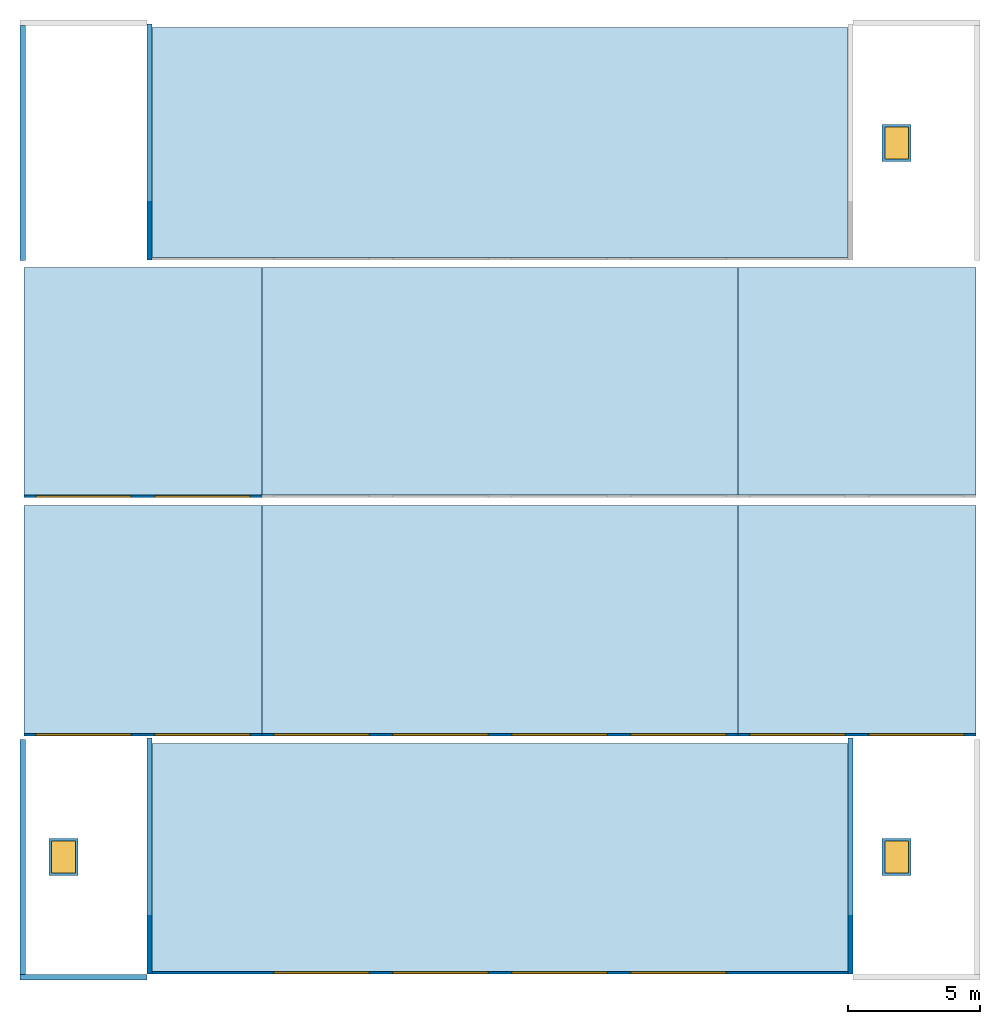
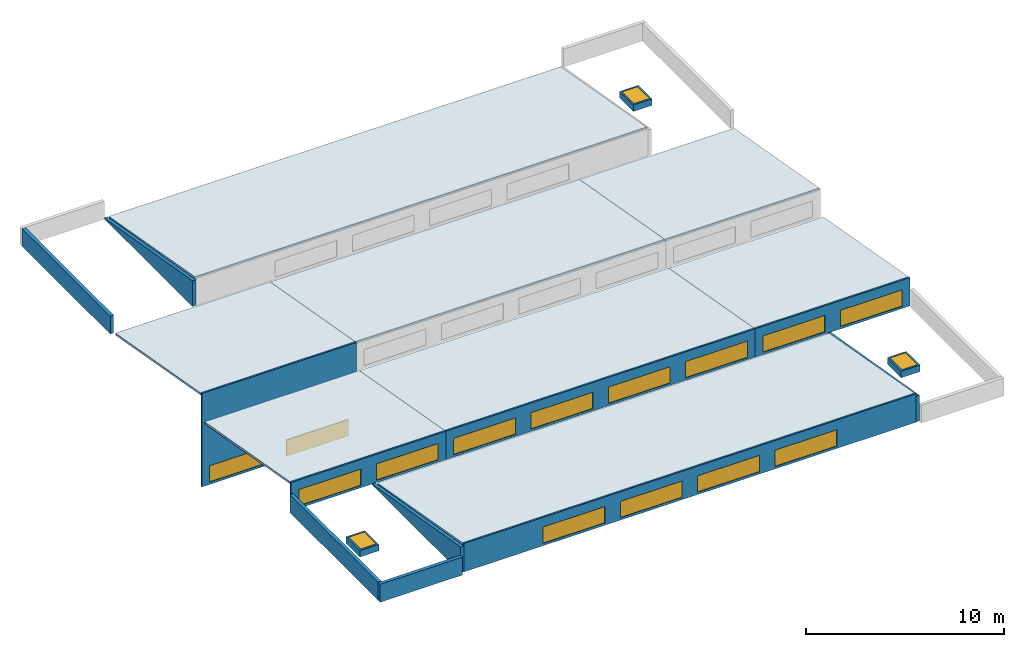
"""IFC4 building model written with IfcOpenShell, lengths in metres."""

import ifcopenshell
import ifcopenshell.guid

model = None  # the IFC model being written
_history = None  # IfcOwnerHistory: only IFC2X3 demands one
_inside = {}  # id of a spatial element -> (the spatial element, [elements in it])
_under = {}  # id of a project, library or spatial element -> (it, [spatial elements below it])
_declared = {}  # id of a project -> (the project, [libraries it declares])
_typed = {}  # id of a type object -> (the type object, [elements of that type])
_made_of = {}  # id of a material, layer set ... -> (it, [elements and type objects made of it])


def new_model(schema):
    """Start an empty IFC model of exactly this schema.

    Asked for "IFC4X3", IfcOpenShell would pick the latest addendum, in which some entities
    have other attributes; the version numbers below select the first issue.
    IFC2X3 requires an IfcOwnerHistory on every rooted entity: one is made here for all.
    """
    global model, _history
    if schema == "IFC4X3":
        model = ifcopenshell.file(schema_version=(4, 3, 0, 0))
    else:
        model = ifcopenshell.file(schema=schema)
    _inside.clear()
    _under.clear()
    _declared.clear()
    _typed.clear()
    _made_of.clear()
    _history = None
    if model.schema == "IFC2X3":
        org = make("IfcOrganization", Name="unknown")
        user = make(
            "IfcPersonAndOrganization",
            ThePerson=make("IfcPerson", FamilyName="unknown"),
            TheOrganization=org,
        )
        app = make(
            "IfcApplication",
            ApplicationDeveloper=org,
            Version="unknown",
            ApplicationFullName="unknown",
            ApplicationIdentifier="unknown",
        )
        _history = make(
            "IfcOwnerHistory",
            OwningUser=user,
            OwningApplication=app,
            ChangeAction="ADDED",
            CreationDate=0,
        )
    return model


def make(cls, **values):
    """One entity of the class cls with the attributes given. An attribute that is None is left unset."""
    return model.create_entity(
        cls, **{name: value for name, value in values.items() if value is not None}
    )


def rooted(cls, **values):
    """An entity with a GlobalId (a new one), such as an element, a storey or a relation."""
    return make(cls, GlobalId=ifcopenshell.guid.new(), OwnerHistory=_history, **values)


def si_unit(unit_type, name, prefix=None):
    """IfcSIUnit, for example si_unit("LENGTHUNIT", "METRE", prefix="MILLI")."""
    return make("IfcSIUnit", UnitType=unit_type, Prefix=prefix, Name=name)


def assignment(units):
    """IfcUnitAssignment: the units of a project."""
    return None if units is None else make("IfcUnitAssignment", Units=units)


def point(xyz):
    """IfcCartesianPoint."""
    return None if xyz is None else make("IfcCartesianPoint", Coordinates=xyz)


def direction(xyz):
    """IfcDirection."""
    return None if xyz is None else make("IfcDirection", DirectionRatios=xyz)


def frame(location, z_axis=None, x_axis=None):
    """IfcAxis2Placement3D, a coordinate frame: its origin and axes. An axis left out is left unset."""
    return make(
        "IfcAxis2Placement3D",
        Location=point(location),
        Axis=direction(z_axis),
        RefDirection=direction(x_axis),
    )


def frame_2d(location, x_axis=None):
    """IfcAxis2Placement2D, a coordinate frame in the plane: its origin and x axis."""
    return make(
        "IfcAxis2Placement2D", Location=point(location), RefDirection=direction(x_axis)
    )


def origin():
    """The frame at (0, 0, 0) with its axes left unset."""
    return frame((0.0, 0.0, 0.0))


def origin_2d():
    """The frame at (0, 0) in the plane with its x axis left unset."""
    return frame_2d((0.0, 0.0))


def place(relative_to, where):
    """IfcLocalPlacement: puts the frame where relative to a parent placement (None: the world)."""
    return make(
        "IfcLocalPlacement", PlacementRelTo=relative_to, RelativePlacement=where
    )


def context(
    kind, dimensions, precision=None, world=None, true_north=None, identifier=None
):
    """IfcGeometricRepresentationContext, for example the 3D "Model" context."""
    return make(
        "IfcGeometricRepresentationContext",
        ContextIdentifier=identifier,
        ContextType=kind,
        CoordinateSpaceDimension=dimensions,
        Precision=precision,
        WorldCoordinateSystem=world,
        TrueNorth=true_north,
    )


def subcontext(parent, identifier, kind, view, scale=None):
    """IfcGeometricRepresentationSubContext, for example "Body" below "Model"."""
    return make(
        "IfcGeometricRepresentationSubContext",
        ContextIdentifier=identifier,
        ContextType=kind,
        ParentContext=parent,
        TargetScale=scale,
        TargetView=view,
    )


def project(units=None, contexts=None):
    """IfcProject with its units and contexts."""
    return rooted(
        "IfcProject",
        Name="project",
        RepresentationContexts=contexts,
        UnitsInContext=assignment(units),
    )


def spatial(cls, under=None, at=None, **own):
    """A site, building, storey or space (cls), placed at a placement, below another one or the project."""
    s = rooted(cls, ObjectPlacement=at, **own)
    if under is not None:
        _under.setdefault(under.id(), (under, []))[1].append(s)
    return s


def polyline(points):
    """IfcPolyline through the points."""
    return make("IfcPolyline", Points=[point(p) for p in points])


def profile(cls, at=None, kind="AREA", **sizes):
    """A parametric profile (cls). Its sizes go by their IFC names, for example OverallWidth=200.0."""
    return make(cls, ProfileType=kind, Position=at, **sizes)


def rectangle(**sizes):
    """IfcRectangleProfileDef."""
    return profile("IfcRectangleProfileDef", **sizes)


def outline(outer, holes=None, kind="AREA"):
    """IfcArbitraryClosedProfileDef: a profile drawn as a closed curve; with holes, ...WithVoids."""
    if holes is None:
        return make("IfcArbitraryClosedProfileDef", ProfileType=kind, OuterCurve=outer)
    return make(
        "IfcArbitraryProfileDefWithVoids",
        ProfileType=kind,
        OuterCurve=outer,
        InnerCurves=holes,
    )


def extrude(swept, where, along, depth):
    """IfcExtrudedAreaSolid: the profile swept, set in the frame where, extruded along a direction by depth."""
    return make(
        "IfcExtrudedAreaSolid",
        SweptArea=swept,
        Position=where,
        ExtrudedDirection=direction(along),
        Depth=depth,
    )


def shape(context_of_items, identifier, shape_type, items):
    """IfcShapeRepresentation: the items that make up one representation, for example the "Body"."""
    return make(
        "IfcShapeRepresentation",
        ContextOfItems=context_of_items,
        RepresentationIdentifier=identifier,
        RepresentationType=shape_type,
        Items=items,
    )


def material(Name=None, Category=None):
    """IfcMaterial."""
    return make("IfcMaterial", Name=Name, Category=Category)


def layer(
    of_material, thickness, ventilated=None, Name=None, Category=None, Priority=None
):
    """IfcMaterialLayer: one layer of a wall or slab, of a material (None: an air gap)."""
    return make(
        "IfcMaterialLayer",
        Material=of_material,
        LayerThickness=thickness,
        IsVentilated=ventilated,
        Name=Name,
        Category=Category,
        Priority=Priority,
    )


def layer_set(layers, Name=None):
    """IfcMaterialLayerSet."""
    return make("IfcMaterialLayerSet", MaterialLayers=layers, LayerSetName=Name)


def made_of(thing, what):
    """Note that an element or type object is made of a material, layer set ...; save() writes the relation."""
    if what is not None:
        _made_of.setdefault(what.id(), (what, []))[1].append(thing)
    return thing


def type_object(cls, material=None, **own):
    """A type object (cls), such as IfcWallType, which elements share."""
    return made_of(rooted(cls, **own), material)


def element(
    cls,
    number,
    at=None,
    inside=None,
    cuts=None,
    type_object=None,
    material=None,
    context=None,
    identifier="Body",
    shape_type=None,
    held_by="IfcProductDefinitionShape",
    body=None,
    shapes=None,
    **own,
):
    """One element of the class cls, such as IfcWall. Its Tag is "e" and its number.

    at: its placement. inside: the storey or other place that contains it. cuts: it is an
    opening in that element (IfcRelVoidsElement). A single representation is given by context,
    identifier, shape_type and body (its items); several are given by shapes. held_by: the class
    of the entity that holds the representations. save() writes the other relations.
    """
    e = rooted(cls, Tag="e%d" % number, ObjectPlacement=at, **own)
    if body is not None:
        shapes = [shape(context, identifier, shape_type, body)]
    if shapes is not None:
        e.Representation = make(held_by, Representations=shapes)
    if inside is not None:
        _inside.setdefault(inside.id(), (inside, []))[1].append(e)
    if cuts is not None:
        rooted(
            "IfcRelVoidsElement", RelatingBuildingElement=cuts, RelatedOpeningElement=e
        )
    if type_object is not None:
        _typed.setdefault(type_object.id(), (type_object, []))[1].append(e)
    return made_of(e, material)


def fill(opening, filler):
    """IfcRelFillsElement: the door or window that sits in an opening."""
    return rooted(
        "IfcRelFillsElement",
        RelatingOpeningElement=opening,
        RelatedBuildingElement=filler,
    )


def aggregate(whole, parts):
    """IfcRelAggregates: a whole, such as a stair, and the parts it consists of."""
    return rooted("IfcRelAggregates", RelatingObject=whole, RelatedObjects=parts)


def save(model, path):
    """Write the relations noted so far, then the file.

    IfcRelAggregates (storeys below a building ...), IfcRelContainedInSpatialStructure (elements
    in a storey), IfcRelDefinesByType, IfcRelAssociatesMaterial and IfcRelDeclares: one each for
    every whole, place, type object, material and project.
    """
    for whole, parts in _under.values():
        aggregate(whole, parts)
    for where, things in _inside.values():
        rooted(
            "IfcRelContainedInSpatialStructure",
            RelatedElements=things,
            RelatingStructure=where,
        )
    for kind, things in _typed.values():
        rooted("IfcRelDefinesByType", RelatedObjects=things, RelatingType=kind)
    for what, things in _made_of.values():
        rooted("IfcRelAssociatesMaterial", RelatedObjects=things, RelatingMaterial=what)
    for by, libraries in _declared.values():
        rooted("IfcRelDeclares", RelatingContext=by, RelatedDefinitions=libraries)
    model.write(path)


model = new_model("IFC4")

# Units and contexts
model_context = context("Model", 3, precision=1e-05, world=origin(), true_north=direction((0.0, 1.0)))
body_context = subcontext(model_context, "Body", "Model", "MODEL_VIEW")
ifc_project = project(units=[si_unit("LENGTHUNIT", "METRE"), si_unit("AREAUNIT", "SQUARE_METRE"), si_unit("VOLUMEUNIT", "CUBIC_METRE"), si_unit("PLANEANGLEUNIT", "RADIAN"), si_unit("MASSUNIT", "GRAM", prefix="KILO")], contexts=[model_context])

# Site, building, storey
site_placement = place(None, origin())
site = spatial("IfcSite", under=ifc_project, at=site_placement, CompositionType="ELEMENT")
building_placement = place(site_placement, origin())
building = spatial("IfcBuilding", under=site, at=building_placement, Name="Halyard Row Museum", CompositionType="ELEMENT")
storey_1_placement = place(building_placement, frame((0.0, 0.0, 25.199951171875)))
storey_1 = spatial("IfcBuildingStorey", under=building, at=storey_1_placement, Name="ROOF", CompositionType="ELEMENT", Elevation=25.199951171875)

# Slab, opening
ifc_material_1 = material(Name="Standing-seam roofing on insulated timber deck", Category="wood")
ifc_layer_1 = layer(ifc_material_1, 0.39990234375)
ifc_layer_set_1 = layer_set([ifc_layer_1], Name="Standing-seam roofing on insulated timber deck")
slab_type_1 = type_object("IfcSlabType", Name="Roof hatch curb 400", PredefinedType="ROOF", material=ifc_layer_set_1)
slab_1_placement = place(storey_1_placement, frame((0.0, 0.0, -0.121826171875)))
slab_1 = element("IfcSlab", 1, at=slab_1_placement, inside=storey_1, type_object=slab_type_1, Name="Roof hatch curb K2A", PredefinedType="ROOF", context=body_context, shape_type="SweptSolid", body=[
    extrude(outline(polyline([(72.949951171875, 3.800048828125), (74.050048828125, 3.800048828125), (74.050048828125, 5.199951171875), (72.949951171875, 5.199951171875), (72.949951171875, 3.800048828125)])), origin(), (0.0, 0.0, 1.0), 0.39990234375),
])
opening_1_placement = place(slab_1_placement, frame((73.5, 4.5, -0.010009765625)))
opening_1 = element("IfcOpeningElement", 2, at=opening_1_placement, cuts=slab_1, Name="Opening DL04-404", PredefinedType="OPENING", context=body_context, shape_type="SweptSolid", body=[
    extrude(rectangle(XDim=0.89990234375, YDim=1.199951171875, at=origin_2d()), origin(), (0.0, 0.0, 1.0), 0.419921875),
])

# Storey
storey_2_placement = place(building_placement, frame((0.0, 0.0, 21.199951171875)))
storey_2 = spatial("IfcBuildingStorey", under=building, at=storey_2_placement, Name="L04", CompositionType="ELEMENT", Elevation=21.199951171875)

# Door
ifc_material_2 = material(Name="Steel Grade 300", Category="steel")
door_type = type_object("IfcDoorType", Name="Roof hatch 900 x 1200", OperationType="SINGLE_SWING_LEFT", PredefinedType="TRAPDOOR", material=ifc_material_2)
door_1_placement = place(opening_1_placement, frame((0.0, 0.0, 0.35986328125)))
door_1 = element("IfcDoor", 3, at=door_1_placement, inside=storey_2, type_object=door_type, Name="Roof hatch K2A", OperationType="SINGLE_SWING_LEFT", OverallHeight=1.199951171875, OverallWidth=0.89990234375, PredefinedType="TRAPDOOR", context=body_context, shape_type="SweptSolid", body=[
    extrude(rectangle(XDim=0.89990234375, YDim=1.199951171875, at=origin_2d()), origin(), (0.0, 0.0, 1.0), 0.050048828125),
])

fill(opening_1, door_1)

# Slab, opening, door
slab_2_placement = place(storey_1_placement, frame((0.0, 0.0, -0.121826171875)))
slab_2 = element("IfcSlab", 4, at=slab_2_placement, inside=storey_1, type_object=slab_type_1, Name="Roof hatch curb K2B", PredefinedType="ROOF", context=body_context, shape_type="SweptSolid", body=[
    extrude(outline(polyline([(104.449951171875, 3.800048828125), (105.550048828125, 3.800048828125), (105.550048828125, 5.199951171875), (104.449951171875, 5.199951171875), (104.449951171875, 3.800048828125)])), origin(), (0.0, 0.0, 1.0), 0.39990234375),
])
opening_2_placement = place(slab_2_placement, frame((105.0, 4.5, -0.010009765625)))
opening_2 = element("IfcOpeningElement", 5, at=opening_2_placement, cuts=slab_2, Name="Opening DL04-405", PredefinedType="OPENING", context=body_context, shape_type="SweptSolid", body=[
    extrude(rectangle(XDim=0.89990234375, YDim=1.199951171875, at=origin_2d()), origin(), (0.0, 0.0, 1.0), 0.419921875),
])
door_2_placement = place(opening_2_placement, frame((0.0, 0.0, 0.35986328125)))
door_2 = element("IfcDoor", 6, at=door_2_placement, inside=storey_2, type_object=door_type, Name="Roof hatch K2B", OperationType="SINGLE_SWING_LEFT", OverallHeight=1.199951171875, OverallWidth=0.89990234375, PredefinedType="TRAPDOOR", context=body_context, shape_type="SweptSolid", body=[
    extrude(rectangle(XDim=0.89990234375, YDim=1.199951171875, at=origin_2d()), origin(), (0.0, 0.0, 1.0), 0.050048828125),
])
fill(opening_2, door_2)

slab_3_placement = place(storey_1_placement, frame((0.0, 0.0, -0.121826171875)))
slab_3 = element("IfcSlab", 7, at=slab_3_placement, inside=storey_1, type_object=slab_type_1, Name="Roof hatch curb K2C", PredefinedType="ROOF", context=body_context, shape_type="SweptSolid", body=[
    extrude(outline(polyline([(104.449951171875, 30.800048828125), (105.550048828125, 30.800048828125), (105.550048828125, 32.199951171875), (104.449951171875, 32.199951171875), (104.449951171875, 30.800048828125)])), origin(), (0.0, 0.0, 1.0), 0.39990234375),
])
opening_3_placement = place(slab_3_placement, frame((105.0, 31.5, -0.010009765625)))
opening_3 = element("IfcOpeningElement", 8, at=opening_3_placement, cuts=slab_3, Name="Opening DL04-406", PredefinedType="OPENING", context=body_context, shape_type="SweptSolid", body=[
    extrude(rectangle(XDim=0.89990234375, YDim=1.199951171875, at=origin_2d()), origin(), (0.0, 0.0, 1.0), 0.419921875),
])
door_3_placement = place(opening_3_placement, frame((0.0, 0.0, 0.35986328125)))
door_3 = element("IfcDoor", 9, at=door_3_placement, inside=storey_2, type_object=door_type, Name="Roof hatch K2C", OperationType="SINGLE_SWING_LEFT", OverallHeight=1.199951171875, OverallWidth=0.89990234375, PredefinedType="TRAPDOOR", context=body_context, shape_type="SweptSolid", body=[
    extrude(rectangle(XDim=0.89990234375, YDim=1.199951171875, at=origin_2d()), origin(), (0.0, 0.0, 1.0), 0.050048828125),
])
fill(opening_3, door_3)

# Slabs
ifc_material_3 = material(Name="Standing-seam roofing on insulated timber deck", Category="wood")
ifc_layer_2 = layer(ifc_material_3, 0.1201171875)
ifc_layer_set_2 = layer_set([ifc_layer_2], Name="Standing-seam roofing on insulated timber deck")
slab_type_2 = type_object("IfcSlabType", Name="Sawtooth roof slab 120 insulated deck", PredefinedType="ROOF", material=ifc_layer_set_2)
slab_4_placement = place(storey_1_placement, frame((76.85009765625, 0.174560546875, 1.569091796875), z_axis=(0.0, 0.175036336252, 0.984561974175), x_axis=(1.0, 0.0, 0.0)))
element("IfcSlab", 10, at=slab_4_placement, inside=storey_1, type_object=slab_type_2, Name="Roof slab V2-T1a", PredefinedType="ROOF", context=body_context, shape_type="SweptSolid", body=[
    extrude(outline(polyline([(0.0, 0.0), (26.2998046875, 0.0), (26.2998046875, 8.760736761621928), (0.0, 8.760736761621928), (0.0, 0.0)])), origin(), (0.0, 0.0, -1.0), 0.1201171875),
])
slab_5_placement = place(storey_1_placement, frame((72.0, 9.174560546875, 1.569091796875), z_axis=(0.0, 0.175036336252, 0.984561974175), x_axis=(1.0, 0.0, 0.0)))
element("IfcSlab", 11, at=slab_5_placement, inside=storey_1, type_object=slab_type_2, Name="Roof slab V2-T2a", PredefinedType="ROOF", context=body_context, shape_type="SweptSolid", body=[
    extrude(outline(polyline([(0.0, 0.0), (9.0, 0.0), (9.0, 8.760736761621928), (0.0, 8.760736761621928), (0.0, 0.0)])), origin(), (0.0, 0.0, -1.0), 0.1201171875),
])
slab_6_placement = place(storey_1_placement, frame((81.0, 9.174560546875, 1.569091796875), z_axis=(0.0, 0.175036336252, 0.984561974175), x_axis=(1.0, 0.0, 0.0)))
element("IfcSlab", 12, at=slab_6_placement, inside=storey_1, type_object=slab_type_2, Name="Roof slab V2-T2b", PredefinedType="ROOF", context=body_context, shape_type="SweptSolid", body=[
    extrude(outline(polyline([(0.0, 0.0), (18.0, 0.0), (18.0, 8.760736761621928), (0.0, 8.760736761621928), (0.0, 0.0)])), origin(), (0.0, 0.0, -1.0), 0.1201171875),
])
slab_7_placement = place(storey_1_placement, frame((99.0, 9.174560546875, 1.569091796875), z_axis=(0.0, 0.175036336252, 0.984561974175), x_axis=(1.0, 0.0, 0.0)))
element("IfcSlab", 13, at=slab_7_placement, inside=storey_1, type_object=slab_type_2, Name="Roof slab V2-T2c", PredefinedType="ROOF", context=body_context, shape_type="SweptSolid", body=[
    extrude(outline(polyline([(0.0, 0.0), (9.0, 0.0), (9.0, 8.760736761621928), (0.0, 8.760736761621928), (0.0, 0.0)])), origin(), (0.0, 0.0, -1.0), 0.1201171875),
])
slab_8_placement = place(storey_1_placement, frame((72.0, 18.18896484375, 1.56640625), z_axis=(0.0, 0.175022511077, 0.984564431927), x_axis=(1.0, 0.0, 0.0)))
element("IfcSlab", 14, at=slab_8_placement, inside=storey_1, type_object=slab_type_2, Name="Roof slab V2-T3a", PredefinedType="ROOF", context=body_context, shape_type="SweptSolid", body=[
    extrude(outline(polyline([(0.0, 0.0), (9.0, 0.0), (9.0, 8.7460847712305), (0.0, 8.7460847712305), (0.0, 0.0)])), origin(), (0.0, 0.0, -1.0), 0.1201171875),
])
slab_9_placement = place(storey_1_placement, frame((81.0, 18.18896484375, 1.56640625), z_axis=(0.0, 0.175022511077, 0.984564431927), x_axis=(1.0, 0.0, 0.0)))
element("IfcSlab", 15, at=slab_9_placement, inside=storey_1, type_object=slab_type_2, Name="Roof slab V2-T3b", PredefinedType="ROOF", context=body_context, shape_type="SweptSolid", body=[
    extrude(outline(polyline([(0.0, 0.0), (18.0, 0.0), (18.0, 8.7460847712305), (0.0, 8.7460847712305), (0.0, 0.0)])), origin(), (0.0, 0.0, -1.0), 0.1201171875),
])
slab_10_placement = place(storey_1_placement, frame((99.0, 18.18896484375, 1.56640625), z_axis=(0.0, 0.175022511077, 0.984564431927), x_axis=(1.0, 0.0, 0.0)))
element("IfcSlab", 16, at=slab_10_placement, inside=storey_1, type_object=slab_type_2, Name="Roof slab V2-T3c", PredefinedType="ROOF", context=body_context, shape_type="SweptSolid", body=[
    extrude(outline(polyline([(0.0, 0.0), (9.0, 0.0), (9.0, 8.7460847712305), (0.0, 8.7460847712305), (0.0, 0.0)])), origin(), (0.0, 0.0, -1.0), 0.1201171875),
])
slab_11_placement = place(storey_1_placement, frame((76.85009765625, 27.174560546875, 1.569091796875), z_axis=(0.0, 0.175043469349, 0.98456070602), x_axis=(1.0, 0.0, 0.0)))
element("IfcSlab", 17, at=slab_11_placement, inside=storey_1, type_object=slab_type_2, Name="Roof slab V2-T4a", PredefinedType="ROOF", context=body_context, shape_type="SweptSolid", body=[
    extrude(outline(polyline([(0.0, 0.0), (26.2998046875, 0.0), (26.2998046875, 8.821748442625461), (0.0, 8.821748442625461), (0.0, 0.0)])), origin(), (0.0, 0.0, -1.0), 0.1201171875),
])

# Walls
ifc_material_4 = material(Name="Standing-seam roofing on insulated timber deck", Category="wood")
ifc_layer_3 = layer(ifc_material_4, 0.199951171875)
ifc_layer_set_3 = layer_set([ifc_layer_3], Name="Standing-seam roofing on insulated timber deck")
wall_type_1 = type_object("IfcWallType", Name="Roof parapet 200 timber-clad 1100", PredefinedType="PARAPET", material=ifc_layer_set_3)
wall_1_placement = place(storey_1_placement, frame((71.85009765625, -0.050048828125, -0.121826171875), z_axis=(0.0, 0.0, 1.0), x_axis=(1.0, 0.0, 0.0)))
element("IfcWall", 18, at=wall_1_placement, inside=storey_1, type_object=wall_type_1, Name="Wall PAC-08", PredefinedType="PARAPET", context=body_context, shape_type="SweptSolid", body=[
    extrude(rectangle(XDim=4.7998046875, YDim=0.199951171875, at=frame_2d((2.39990234375, 0.0))), origin(), (0.0, 0.0, 1.0), 1.10009765625),
])
for number, where, z_axis, x_axis, name in (
    (19, (71.949951171875, 0.050048828125, -0.121826171875), (0.0, 0.0, 1.0), (0.0, 1.0, 0.0), "Wall PAC-09"),
    (20, (71.949951171875, 27.050048828125, -0.121826171875), (0.0, 0.0, 1.0), (0.0, 1.0, 0.0), "Wall PAC-15"),
):
    element("IfcWall", number, at=place(storey_1_placement, frame(where, z_axis=z_axis, x_axis=x_axis)), inside=storey_1, type_object=wall_type_1, Name=name, PredefinedType="PARAPET", context=body_context, shape_type="SweptSolid", body=[
        extrude(rectangle(XDim=8.89990234375, YDim=0.199951171875, at=frame_2d((4.449951171875, 0.0))), origin(), (0.0, 0.0, 1.0), 1.10009765625),
    ])
ifc_material_5 = material(Name="Insulated steel-stud upstand with aluminium cladding", Category="steel")
ifc_layer_4 = layer(ifc_material_5, 0.199951171875)
ifc_layer_set_4 = layer_set([ifc_layer_4], Name="Insulated steel-stud upstand with aluminium cladding")
wall_type_2 = type_object("IfcWallType", Name="Roof verge wall 200", PredefinedType="SOLIDWALL", material=ifc_layer_set_4)
for number, where, z_axis, x_axis, name in (
    (21, (76.75, 0.074462890625, -0.121826171875), (0.0, 0.0, 1.0), (0.0, 1.0, 0.0), "Wall RV01"),
    (22, (103.25, 0.074462890625, -0.121826171875), (0.0, 0.0, 1.0), (0.0, 1.0, 0.0), "Wall RV02"),
    (23, (76.75, 27.074462890625, -0.121826171875), (0.0, 0.0, 1.0), (0.0, 1.0, 0.0), "Wall RV03"),
):
    element("IfcWall", number, at=place(storey_1_placement, frame(where, z_axis=z_axis, x_axis=x_axis)), inside=storey_1, type_object=wall_type_2, Name=name, PredefinedType="SOLIDWALL", context=body_context, shape_type="SweptSolid", body=[
        extrude(outline(polyline([(0.0, 0.0), (8.925537109375, 0.0), (8.925537109375, 0.050048828125), (0.0, 1.586669921875), (0.0, 0.0)])), frame((0.0, 0.10009765625, 0.0), z_axis=(0.0, -1.0, 0.0), x_axis=(1.0, 0.0, 0.0)), (0.0, 0.0, 1.0), 0.199951171875),
    ])

# Wall, openings, windows
ifc_material_6 = material(Name="Insulated steel-stud upstand with aluminium cladding", Category="steel")
ifc_layer_5 = layer(ifc_material_6, 0.10009765625)
ifc_layer_set_5 = layer_set([ifc_layer_5], Name="Insulated steel-stud upstand with aluminium cladding")
wall_type_3 = type_object("IfcWallType", Name="Rooflight upstand wall 100", PredefinedType="SOLIDWALL", material=ifc_layer_set_5)
wall_2_placement = place(storey_1_placement, frame((76.85009765625, 0.12451171875, -0.146240234375), z_axis=(0.0, 0.0, 1.0), x_axis=(1.0, 0.0, 0.0)))
wall_2 = element("IfcWall", 24, at=wall_2_placement, inside=storey_1, type_object=wall_type_3, Name="Wall UWV2-T1a", PredefinedType="SOLIDWALL", context=body_context, shape_type="SweptSolid", body=[
    extrude(rectangle(XDim=26.2998046875, YDim=0.10009765625, at=frame_2d((13.14990234375, 0.0))), origin(), (0.0, 0.0, 1.0), 1.746337890625),
])
opening_4_placement = place(wall_2_placement, frame((4.60009765625, 0.0, 0.14990234375)))
opening_4 = element("IfcOpeningElement", 25, at=opening_4_placement, cuts=wall_2, Name="Opening RLV2-T1a-01", PredefinedType="OPENING", context=body_context, shape_type="SweptSolid", body=[
    extrude(rectangle(XDim=3.60009765625, YDim=1.0, at=frame_2d((1.800048828125, 0.5))), frame((0.0, 0.06005859375, 0.0), z_axis=(0.0, -1.0, 0.0), x_axis=(1.0, 0.0, 0.0)), (0.0, 0.0, 1.0), 0.1201171875),
])
opening_5_placement = place(wall_2_placement, frame((9.10009765625, 0.0, 0.14990234375)))
opening_5 = element("IfcOpeningElement", 26, at=opening_5_placement, cuts=wall_2, Name="Opening RLV2-T1a-02", PredefinedType="OPENING", context=body_context, shape_type="SweptSolid", body=[
    extrude(rectangle(XDim=3.60009765625, YDim=1.0, at=frame_2d((1.800048828125, 0.5))), frame((0.0, 0.06005859375, 0.0), z_axis=(0.0, -1.0, 0.0), x_axis=(1.0, 0.0, 0.0)), (0.0, 0.0, 1.0), 0.1201171875),
])
opening_6_placement = place(wall_2_placement, frame((13.60009765625, 0.0, 0.14990234375)))
opening_6 = element("IfcOpeningElement", 27, at=opening_6_placement, cuts=wall_2, Name="Opening RLV2-T1a-03", PredefinedType="OPENING", context=body_context, shape_type="SweptSolid", body=[
    extrude(rectangle(XDim=3.60009765625, YDim=1.0, at=frame_2d((1.800048828125, 0.5))), frame((0.0, 0.06005859375, 0.0), z_axis=(0.0, -1.0, 0.0), x_axis=(1.0, 0.0, 0.0)), (0.0, 0.0, 1.0), 0.1201171875),
])
opening_7_placement = place(wall_2_placement, frame((18.10009765625, 0.0, 0.14990234375)))
opening_7 = element("IfcOpeningElement", 28, at=opening_7_placement, cuts=wall_2, Name="Opening RLV2-T1a-04", PredefinedType="OPENING", context=body_context, shape_type="SweptSolid", body=[
    extrude(rectangle(XDim=3.60009765625, YDim=1.0, at=frame_2d((1.800048828125, 0.5))), frame((0.0, 0.06005859375, 0.0), z_axis=(0.0, -1.0, 0.0), x_axis=(1.0, 0.0, 0.0)), (0.0, 0.0, 1.0), 0.1201171875),
])
ifc_material_7 = material(Name="Double glazed unit, low-emissivity", Category="glass")
window_type = type_object("IfcWindowType", Name="Rooflight 3600 x 1000 riser", PartitioningType="SINGLE_PANEL", PredefinedType="SKYLIGHT", material=ifc_material_7)
window_1_placement = place(opening_4_placement, origin())
window_1 = element("IfcWindow", 29, at=window_1_placement, inside=storey_2, type_object=window_type, Name="Rooflight", OverallHeight=1.0, OverallWidth=3.60009765625, PartitioningType="SINGLE_PANEL", PredefinedType="SKYLIGHT", context=body_context, shape_type="SweptSolid", body=[
    extrude(rectangle(XDim=3.60009765625, YDim=1.0, at=frame_2d((1.800048828125, 0.5))), frame((0.0, 0.030029296875, 0.0), z_axis=(0.0, -1.0, 0.0), x_axis=(1.0, 0.0, 0.0)), (0.0, 0.0, 1.0), 0.06005859375),
])
fill(opening_4, window_1)
window_2_placement = place(opening_5_placement, origin())
window_2 = element("IfcWindow", 30, at=window_2_placement, inside=storey_2, type_object=window_type, Name="Rooflight", OverallHeight=1.0, OverallWidth=3.60009765625, PartitioningType="SINGLE_PANEL", PredefinedType="SKYLIGHT", context=body_context, shape_type="SweptSolid", body=[
    extrude(rectangle(XDim=3.60009765625, YDim=1.0, at=frame_2d((1.800048828125, 0.5))), frame((0.0, 0.030029296875, 0.0), z_axis=(0.0, -1.0, 0.0), x_axis=(1.0, 0.0, 0.0)), (0.0, 0.0, 1.0), 0.06005859375),
])
fill(opening_5, window_2)
window_3_placement = place(opening_6_placement, origin())
window_3 = element("IfcWindow", 31, at=window_3_placement, inside=storey_2, type_object=window_type, Name="Rooflight", OverallHeight=1.0, OverallWidth=3.60009765625, PartitioningType="SINGLE_PANEL", PredefinedType="SKYLIGHT", context=body_context, shape_type="SweptSolid", body=[
    extrude(rectangle(XDim=3.60009765625, YDim=1.0, at=frame_2d((1.800048828125, 0.5))), frame((0.0, 0.030029296875, 0.0), z_axis=(0.0, -1.0, 0.0), x_axis=(1.0, 0.0, 0.0)), (0.0, 0.0, 1.0), 0.06005859375),
])
fill(opening_6, window_3)
window_4_placement = place(opening_7_placement, origin())
window_4 = element("IfcWindow", 32, at=window_4_placement, inside=storey_2, type_object=window_type, Name="Rooflight", OverallHeight=1.0, OverallWidth=3.60009765625, PartitioningType="SINGLE_PANEL", PredefinedType="SKYLIGHT", context=body_context, shape_type="SweptSolid", body=[
    extrude(rectangle(XDim=3.60009765625, YDim=1.0, at=frame_2d((1.800048828125, 0.5))), frame((0.0, 0.030029296875, 0.0), z_axis=(0.0, -1.0, 0.0), x_axis=(1.0, 0.0, 0.0)), (0.0, 0.0, 1.0), 0.06005859375),
])
fill(opening_7, window_4)

wall_3_placement = place(storey_1_placement, frame((72.0, 9.12451171875, -0.146240234375), z_axis=(0.0, 0.0, 1.0), x_axis=(1.0, 0.0, 0.0)))
wall_3 = element("IfcWall", 33, at=wall_3_placement, inside=storey_1, type_object=wall_type_3, Name="Wall UWV2-T2a", PredefinedType="SOLIDWALL", context=body_context, shape_type="SweptSolid", body=[
    extrude(rectangle(XDim=9.0, YDim=0.10009765625, at=frame_2d((4.5, 0.0))), origin(), (0.0, 0.0, 1.0), 1.746337890625),
])
opening_8_placement = place(wall_3_placement, frame((0.449951171875, 0.0, 0.14990234375)))
opening_8 = element("IfcOpeningElement", 34, at=opening_8_placement, cuts=wall_3, Name="Opening RLV2-T2a-01", PredefinedType="OPENING", context=body_context, shape_type="SweptSolid", body=[
    extrude(rectangle(XDim=3.60009765625, YDim=1.0, at=frame_2d((1.800048828125, 0.5))), frame((0.0, 0.06005859375, 0.0), z_axis=(0.0, -1.0, 0.0), x_axis=(1.0, 0.0, 0.0)), (0.0, 0.0, 1.0), 0.1201171875),
])
opening_9_placement = place(wall_3_placement, frame((4.949951171875, 0.0, 0.14990234375)))
opening_9 = element("IfcOpeningElement", 35, at=opening_9_placement, cuts=wall_3, Name="Opening RLV2-T2a-02", PredefinedType="OPENING", context=body_context, shape_type="SweptSolid", body=[
    extrude(rectangle(XDim=3.60009765625, YDim=1.0, at=frame_2d((1.800048828125, 0.5))), frame((0.0, 0.06005859375, 0.0), z_axis=(0.0, -1.0, 0.0), x_axis=(1.0, 0.0, 0.0)), (0.0, 0.0, 1.0), 0.1201171875),
])
window_5_placement = place(opening_8_placement, origin())
window_5 = element("IfcWindow", 36, at=window_5_placement, inside=storey_2, type_object=window_type, Name="Rooflight", OverallHeight=1.0, OverallWidth=3.60009765625, PartitioningType="SINGLE_PANEL", PredefinedType="SKYLIGHT", context=body_context, shape_type="SweptSolid", body=[
    extrude(rectangle(XDim=3.60009765625, YDim=1.0, at=frame_2d((1.800048828125, 0.5))), frame((0.0, 0.030029296875, 0.0), z_axis=(0.0, -1.0, 0.0), x_axis=(1.0, 0.0, 0.0)), (0.0, 0.0, 1.0), 0.06005859375),
])
fill(opening_8, window_5)
window_6_placement = place(opening_9_placement, origin())
window_6 = element("IfcWindow", 37, at=window_6_placement, inside=storey_2, type_object=window_type, Name="Rooflight", OverallHeight=1.0, OverallWidth=3.60009765625, PartitioningType="SINGLE_PANEL", PredefinedType="SKYLIGHT", context=body_context, shape_type="SweptSolid", body=[
    extrude(rectangle(XDim=3.60009765625, YDim=1.0, at=frame_2d((1.800048828125, 0.5))), frame((0.0, 0.030029296875, 0.0), z_axis=(0.0, -1.0, 0.0), x_axis=(1.0, 0.0, 0.0)), (0.0, 0.0, 1.0), 0.06005859375),
])
fill(opening_9, window_6)

wall_4_placement = place(storey_1_placement, frame((81.0, 9.12451171875, -0.146240234375), z_axis=(0.0, 0.0, 1.0), x_axis=(1.0, 0.0, 0.0)))
wall_4 = element("IfcWall", 38, at=wall_4_placement, inside=storey_1, type_object=wall_type_3, Name="Wall UWV2-T2b", PredefinedType="SOLIDWALL", context=body_context, shape_type="SweptSolid", body=[
    extrude(rectangle(XDim=18.0, YDim=0.10009765625, at=frame_2d((9.0, 0.0))), origin(), (0.0, 0.0, 1.0), 1.746337890625),
])
opening_10_placement = place(wall_4_placement, frame((0.449951171875, 0.0, 0.14990234375)))
opening_10 = element("IfcOpeningElement", 39, at=opening_10_placement, cuts=wall_4, Name="Opening RLV2-T2b-01", PredefinedType="OPENING", context=body_context, shape_type="SweptSolid", body=[
    extrude(rectangle(XDim=3.60009765625, YDim=1.0, at=frame_2d((1.800048828125, 0.5))), frame((0.0, 0.06005859375, 0.0), z_axis=(0.0, -1.0, 0.0), x_axis=(1.0, 0.0, 0.0)), (0.0, 0.0, 1.0), 0.1201171875),
])
opening_11_placement = place(wall_4_placement, frame((4.949951171875, 0.0, 0.14990234375)))
opening_11 = element("IfcOpeningElement", 40, at=opening_11_placement, cuts=wall_4, Name="Opening RLV2-T2b-02", PredefinedType="OPENING", context=body_context, shape_type="SweptSolid", body=[
    extrude(rectangle(XDim=3.60009765625, YDim=1.0, at=frame_2d((1.800048828125, 0.5))), frame((0.0, 0.06005859375, 0.0), z_axis=(0.0, -1.0, 0.0), x_axis=(1.0, 0.0, 0.0)), (0.0, 0.0, 1.0), 0.1201171875),
])
opening_12_placement = place(wall_4_placement, frame((9.449951171875, 0.0, 0.14990234375)))
opening_12 = element("IfcOpeningElement", 41, at=opening_12_placement, cuts=wall_4, Name="Opening RLV2-T2b-03", PredefinedType="OPENING", context=body_context, shape_type="SweptSolid", body=[
    extrude(rectangle(XDim=3.60009765625, YDim=1.0, at=frame_2d((1.800048828125, 0.5))), frame((0.0, 0.06005859375, 0.0), z_axis=(0.0, -1.0, 0.0), x_axis=(1.0, 0.0, 0.0)), (0.0, 0.0, 1.0), 0.1201171875),
])
opening_13_placement = place(wall_4_placement, frame((13.949951171875, 0.0, 0.14990234375)))
opening_13 = element("IfcOpeningElement", 42, at=opening_13_placement, cuts=wall_4, Name="Opening RLV2-T2b-04", PredefinedType="OPENING", context=body_context, shape_type="SweptSolid", body=[
    extrude(rectangle(XDim=3.60009765625, YDim=1.0, at=frame_2d((1.800048828125, 0.5))), frame((0.0, 0.06005859375, 0.0), z_axis=(0.0, -1.0, 0.0), x_axis=(1.0, 0.0, 0.0)), (0.0, 0.0, 1.0), 0.1201171875),
])
window_7_placement = place(opening_10_placement, origin())
window_7 = element("IfcWindow", 43, at=window_7_placement, inside=storey_2, type_object=window_type, Name="Rooflight", OverallHeight=1.0, OverallWidth=3.60009765625, PartitioningType="SINGLE_PANEL", PredefinedType="SKYLIGHT", context=body_context, shape_type="SweptSolid", body=[
    extrude(rectangle(XDim=3.60009765625, YDim=1.0, at=frame_2d((1.800048828125, 0.5))), frame((0.0, 0.030029296875, 0.0), z_axis=(0.0, -1.0, 0.0), x_axis=(1.0, 0.0, 0.0)), (0.0, 0.0, 1.0), 0.06005859375),
])
fill(opening_10, window_7)
window_8_placement = place(opening_11_placement, origin())
window_8 = element("IfcWindow", 44, at=window_8_placement, inside=storey_2, type_object=window_type, Name="Rooflight", OverallHeight=1.0, OverallWidth=3.60009765625, PartitioningType="SINGLE_PANEL", PredefinedType="SKYLIGHT", context=body_context, shape_type="SweptSolid", body=[
    extrude(rectangle(XDim=3.60009765625, YDim=1.0, at=frame_2d((1.800048828125, 0.5))), frame((0.0, 0.030029296875, 0.0), z_axis=(0.0, -1.0, 0.0), x_axis=(1.0, 0.0, 0.0)), (0.0, 0.0, 1.0), 0.06005859375),
])
fill(opening_11, window_8)
window_9_placement = place(opening_12_placement, origin())
window_9 = element("IfcWindow", 45, at=window_9_placement, inside=storey_2, type_object=window_type, Name="Rooflight", OverallHeight=1.0, OverallWidth=3.60009765625, PartitioningType="SINGLE_PANEL", PredefinedType="SKYLIGHT", context=body_context, shape_type="SweptSolid", body=[
    extrude(rectangle(XDim=3.60009765625, YDim=1.0, at=frame_2d((1.800048828125, 0.5))), frame((0.0, 0.030029296875, 0.0), z_axis=(0.0, -1.0, 0.0), x_axis=(1.0, 0.0, 0.0)), (0.0, 0.0, 1.0), 0.06005859375),
])
fill(opening_12, window_9)
window_10_placement = place(opening_13_placement, origin())
window_10 = element("IfcWindow", 46, at=window_10_placement, inside=storey_2, type_object=window_type, Name="Rooflight", OverallHeight=1.0, OverallWidth=3.60009765625, PartitioningType="SINGLE_PANEL", PredefinedType="SKYLIGHT", context=body_context, shape_type="SweptSolid", body=[
    extrude(rectangle(XDim=3.60009765625, YDim=1.0, at=frame_2d((1.800048828125, 0.5))), frame((0.0, 0.030029296875, 0.0), z_axis=(0.0, -1.0, 0.0), x_axis=(1.0, 0.0, 0.0)), (0.0, 0.0, 1.0), 0.06005859375),
])
fill(opening_13, window_10)

wall_5_placement = place(storey_1_placement, frame((99.0, 9.12451171875, -0.146240234375), z_axis=(0.0, 0.0, 1.0), x_axis=(1.0, 0.0, 0.0)))
wall_5 = element("IfcWall", 47, at=wall_5_placement, inside=storey_1, type_object=wall_type_3, Name="Wall UWV2-T2c", PredefinedType="SOLIDWALL", context=body_context, shape_type="SweptSolid", body=[
    extrude(rectangle(XDim=9.0, YDim=0.10009765625, at=frame_2d((4.5, 0.0))), origin(), (0.0, 0.0, 1.0), 1.746337890625),
])
opening_14_placement = place(wall_5_placement, frame((0.449951171875, 0.0, 0.14990234375)))
opening_14 = element("IfcOpeningElement", 48, at=opening_14_placement, cuts=wall_5, Name="Opening RLV2-T2c-01", PredefinedType="OPENING", context=body_context, shape_type="SweptSolid", body=[
    extrude(rectangle(XDim=3.60009765625, YDim=1.0, at=frame_2d((1.800048828125, 0.5))), frame((0.0, 0.06005859375, 0.0), z_axis=(0.0, -1.0, 0.0), x_axis=(1.0, 0.0, 0.0)), (0.0, 0.0, 1.0), 0.1201171875),
])
opening_15_placement = place(wall_5_placement, frame((4.949951171875, 0.0, 0.14990234375)))
opening_15 = element("IfcOpeningElement", 49, at=opening_15_placement, cuts=wall_5, Name="Opening RLV2-T2c-02", PredefinedType="OPENING", context=body_context, shape_type="SweptSolid", body=[
    extrude(rectangle(XDim=3.60009765625, YDim=1.0, at=frame_2d((1.800048828125, 0.5))), frame((0.0, 0.06005859375, 0.0), z_axis=(0.0, -1.0, 0.0), x_axis=(1.0, 0.0, 0.0)), (0.0, 0.0, 1.0), 0.1201171875),
])
window_11_placement = place(opening_14_placement, origin())
window_11 = element("IfcWindow", 50, at=window_11_placement, inside=storey_2, type_object=window_type, Name="Rooflight", OverallHeight=1.0, OverallWidth=3.60009765625, PartitioningType="SINGLE_PANEL", PredefinedType="SKYLIGHT", context=body_context, shape_type="SweptSolid", body=[
    extrude(rectangle(XDim=3.60009765625, YDim=1.0, at=frame_2d((1.800048828125, 0.5))), frame((0.0, 0.030029296875, 0.0), z_axis=(0.0, -1.0, 0.0), x_axis=(1.0, 0.0, 0.0)), (0.0, 0.0, 1.0), 0.06005859375),
])
fill(opening_14, window_11)
window_12_placement = place(opening_15_placement, origin())
window_12 = element("IfcWindow", 51, at=window_12_placement, inside=storey_2, type_object=window_type, Name="Rooflight", OverallHeight=1.0, OverallWidth=3.60009765625, PartitioningType="SINGLE_PANEL", PredefinedType="SKYLIGHT", context=body_context, shape_type="SweptSolid", body=[
    extrude(rectangle(XDim=3.60009765625, YDim=1.0, at=frame_2d((1.800048828125, 0.5))), frame((0.0, 0.030029296875, 0.0), z_axis=(0.0, -1.0, 0.0), x_axis=(1.0, 0.0, 0.0)), (0.0, 0.0, 1.0), 0.06005859375),
])
fill(opening_15, window_12)

wall_6_placement = place(storey_1_placement, frame((72.0, 18.138916015625, -4.146240234375), z_axis=(0.0, 0.0, 1.0), x_axis=(1.0, 0.0, 0.0)))
wall_6 = element("IfcWall", 52, at=wall_6_placement, inside=storey_1, type_object=wall_type_3, Name="Wall UWV2-T3a", PredefinedType="SOLIDWALL", context=body_context, shape_type="SweptSolid", body=[
    extrude(rectangle(XDim=9.0, YDim=0.10009765625, at=frame_2d((4.5, 0.0))), origin(), (0.0, 0.0, 1.0), 5.746337890625),
])
opening_16_placement = place(wall_6_placement, frame((0.449951171875, 0.0, 0.14990234375)))
opening_16 = element("IfcOpeningElement", 53, at=opening_16_placement, cuts=wall_6, Name="Opening RLV2-T3a-01", PredefinedType="OPENING", context=body_context, shape_type="SweptSolid", body=[
    extrude(rectangle(XDim=3.60009765625, YDim=1.0, at=frame_2d((1.800048828125, 0.5))), frame((0.0, 0.06005859375, 0.0), z_axis=(0.0, -1.0, 0.0), x_axis=(1.0, 0.0, 0.0)), (0.0, 0.0, 1.0), 0.1201171875),
])
opening_17_placement = place(wall_6_placement, frame((4.949951171875, 0.0, 0.14990234375)))
opening_17 = element("IfcOpeningElement", 54, at=opening_17_placement, cuts=wall_6, Name="Opening RLV2-T3a-02", PredefinedType="OPENING", context=body_context, shape_type="SweptSolid", body=[
    extrude(rectangle(XDim=3.60009765625, YDim=1.0, at=frame_2d((1.800048828125, 0.5))), frame((0.0, 0.06005859375, 0.0), z_axis=(0.0, -1.0, 0.0), x_axis=(1.0, 0.0, 0.0)), (0.0, 0.0, 1.0), 0.1201171875),
])
window_13_placement = place(opening_16_placement, origin())
window_13 = element("IfcWindow", 55, at=window_13_placement, inside=storey_2, type_object=window_type, Name="Rooflight", OverallHeight=1.0, OverallWidth=3.60009765625, PartitioningType="SINGLE_PANEL", PredefinedType="SKYLIGHT", context=body_context, shape_type="SweptSolid", body=[
    extrude(rectangle(XDim=3.60009765625, YDim=1.0, at=frame_2d((1.800048828125, 0.5))), frame((0.0, 0.030029296875, 0.0), z_axis=(0.0, -1.0, 0.0), x_axis=(1.0, 0.0, 0.0)), (0.0, 0.0, 1.0), 0.06005859375),
])
fill(opening_16, window_13)
window_14_placement = place(opening_17_placement, origin())
window_14 = element("IfcWindow", 56, at=window_14_placement, inside=storey_2, type_object=window_type, Name="Rooflight", OverallHeight=1.0, OverallWidth=3.60009765625, PartitioningType="SINGLE_PANEL", PredefinedType="SKYLIGHT", context=body_context, shape_type="SweptSolid", body=[
    extrude(rectangle(XDim=3.60009765625, YDim=1.0, at=frame_2d((1.800048828125, 0.5))), frame((0.0, 0.030029296875, 0.0), z_axis=(0.0, -1.0, 0.0), x_axis=(1.0, 0.0, 0.0)), (0.0, 0.0, 1.0), 0.06005859375),
])
fill(opening_17, window_14)

save(model, "model.ifc")
